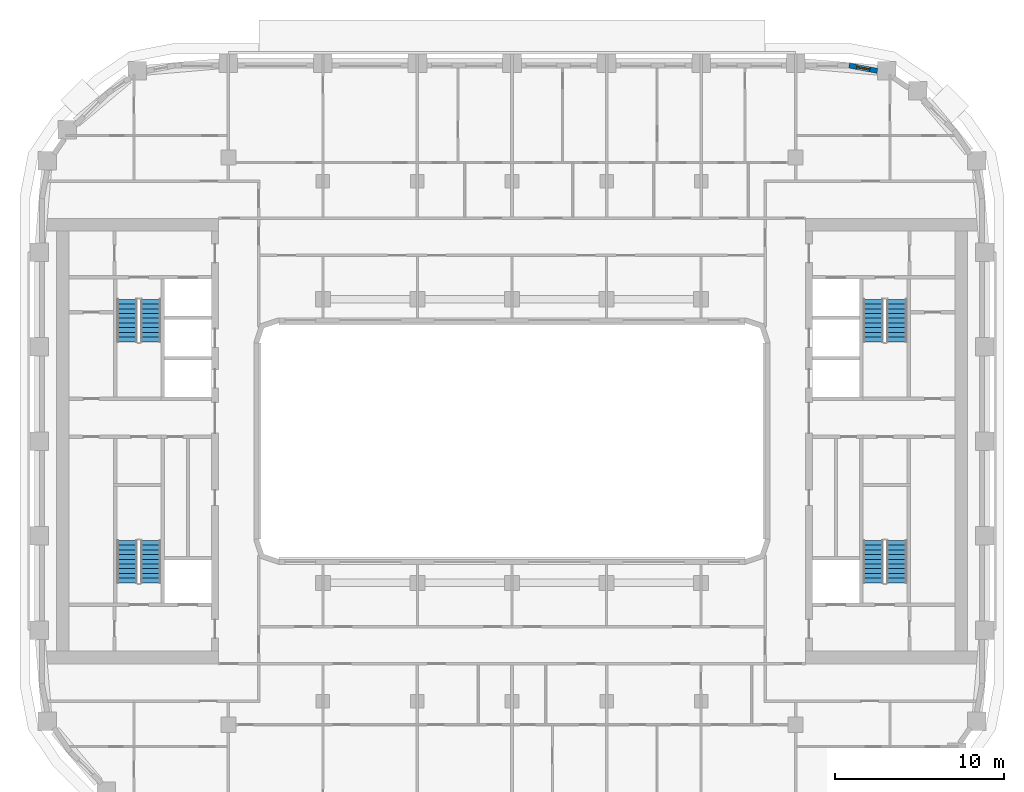
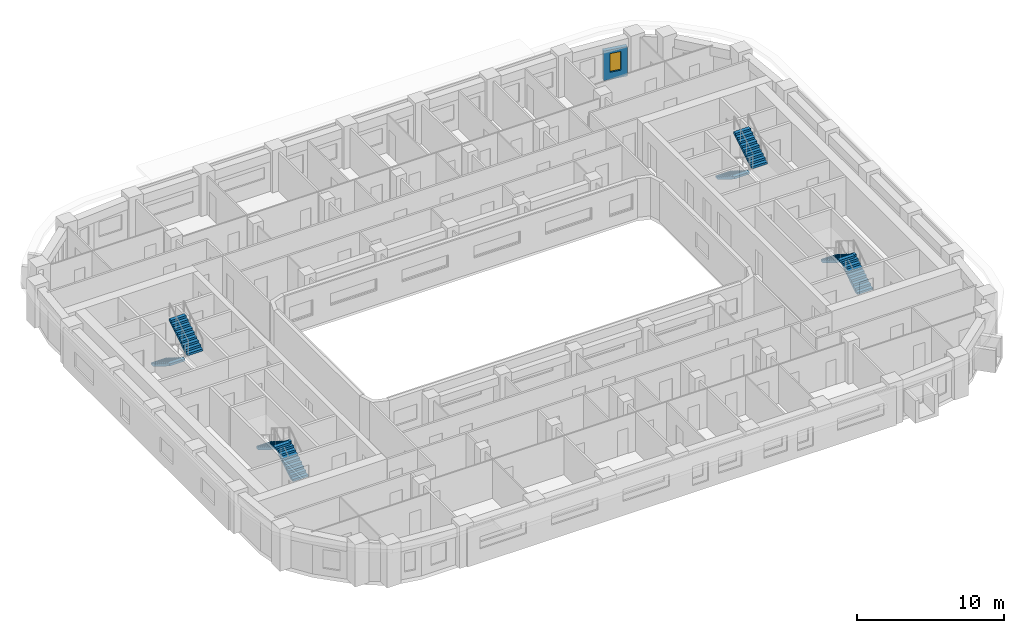
# One storey, part 10 of 22: 8 stair flights, 1 wall, 1 window, 1 opening, 4 elements without a shape of their own.
"""IFC4 building model written with IfcOpenShell, lengths in metres."""

import ifcopenshell
import ifcopenshell.guid

model = None  # the IFC model being written
_history = None  # IfcOwnerHistory: only IFC2X3 demands one
_inside = {}  # id of a spatial element -> (the spatial element, [elements in it])
_under = {}  # id of a project, library or spatial element -> (it, [spatial elements below it])
_declared = {}  # id of a project -> (the project, [libraries it declares])
_typed = {}  # id of a type object -> (the type object, [elements of that type])
_made_of = {}  # id of a material, layer set ... -> (it, [elements and type objects made of it])


def new_model(schema):
    """Start an empty IFC model of exactly this schema.

    Asked for "IFC4X3", IfcOpenShell would pick the latest addendum, in which some entities
    have other attributes; the version numbers below select the first issue.
    IFC2X3 requires an IfcOwnerHistory on every rooted entity: one is made here for all.
    """
    global model, _history
    if schema == "IFC4X3":
        model = ifcopenshell.file(schema_version=(4, 3, 0, 0))
    else:
        model = ifcopenshell.file(schema=schema)
    _inside.clear()
    _under.clear()
    _declared.clear()
    _typed.clear()
    _made_of.clear()
    _history = None
    if model.schema == "IFC2X3":
        org = make("IfcOrganization", Name="unknown")
        user = make(
            "IfcPersonAndOrganization",
            ThePerson=make("IfcPerson", FamilyName="unknown"),
            TheOrganization=org,
        )
        app = make(
            "IfcApplication",
            ApplicationDeveloper=org,
            Version="unknown",
            ApplicationFullName="unknown",
            ApplicationIdentifier="unknown",
        )
        _history = make(
            "IfcOwnerHistory",
            OwningUser=user,
            OwningApplication=app,
            ChangeAction="ADDED",
            CreationDate=0,
        )
    return model


def make(cls, **values):
    """One entity of the class cls with the attributes given. An attribute that is None is left unset."""
    return model.create_entity(
        cls, **{name: value for name, value in values.items() if value is not None}
    )


def rooted(cls, **values):
    """An entity with a GlobalId (a new one), such as an element, a storey or a relation."""
    return make(cls, GlobalId=ifcopenshell.guid.new(), OwnerHistory=_history, **values)


def si_unit(unit_type, name, prefix=None):
    """IfcSIUnit, for example si_unit("LENGTHUNIT", "METRE", prefix="MILLI")."""
    return make("IfcSIUnit", UnitType=unit_type, Prefix=prefix, Name=name)


def assignment(units):
    """IfcUnitAssignment: the units of a project."""
    return None if units is None else make("IfcUnitAssignment", Units=units)


def point(xyz):
    """IfcCartesianPoint."""
    return None if xyz is None else make("IfcCartesianPoint", Coordinates=xyz)


def direction(xyz):
    """IfcDirection."""
    return None if xyz is None else make("IfcDirection", DirectionRatios=xyz)


def frame(location, z_axis=None, x_axis=None):
    """IfcAxis2Placement3D, a coordinate frame: its origin and axes. An axis left out is left unset."""
    return make(
        "IfcAxis2Placement3D",
        Location=point(location),
        Axis=direction(z_axis),
        RefDirection=direction(x_axis),
    )


def frame_2d(location, x_axis=None):
    """IfcAxis2Placement2D, a coordinate frame in the plane: its origin and x axis."""
    return make(
        "IfcAxis2Placement2D", Location=point(location), RefDirection=direction(x_axis)
    )


def origin():
    """The frame at (0, 0, 0) with its axes left unset."""
    return frame((0.0, 0.0, 0.0))


def place(relative_to, where):
    """IfcLocalPlacement: puts the frame where relative to a parent placement (None: the world)."""
    return make(
        "IfcLocalPlacement", PlacementRelTo=relative_to, RelativePlacement=where
    )


def context(
    kind, dimensions, precision=None, world=None, true_north=None, identifier=None
):
    """IfcGeometricRepresentationContext, for example the 3D "Model" context."""
    return make(
        "IfcGeometricRepresentationContext",
        ContextIdentifier=identifier,
        ContextType=kind,
        CoordinateSpaceDimension=dimensions,
        Precision=precision,
        WorldCoordinateSystem=world,
        TrueNorth=true_north,
    )


def subcontext(parent, identifier, kind, view, scale=None):
    """IfcGeometricRepresentationSubContext, for example "Body" below "Model"."""
    return make(
        "IfcGeometricRepresentationSubContext",
        ContextIdentifier=identifier,
        ContextType=kind,
        ParentContext=parent,
        TargetScale=scale,
        TargetView=view,
    )


def project(units=None, contexts=None):
    """IfcProject with its units and contexts."""
    return rooted(
        "IfcProject",
        Name="project",
        RepresentationContexts=contexts,
        UnitsInContext=assignment(units),
    )


def spatial(cls, under=None, at=None, **own):
    """A site, building, storey or space (cls), placed at a placement, below another one or the project."""
    s = rooted(cls, ObjectPlacement=at, **own)
    if under is not None:
        _under.setdefault(under.id(), (under, []))[1].append(s)
    return s


def polyline(points):
    """IfcPolyline through the points."""
    return make("IfcPolyline", Points=[point(p) for p in points])


def profile(cls, at=None, kind="AREA", **sizes):
    """A parametric profile (cls). Its sizes go by their IFC names, for example OverallWidth=200.0."""
    return make(cls, ProfileType=kind, Position=at, **sizes)


def rectangle(**sizes):
    """IfcRectangleProfileDef."""
    return profile("IfcRectangleProfileDef", **sizes)


def outline(outer, holes=None, kind="AREA"):
    """IfcArbitraryClosedProfileDef: a profile drawn as a closed curve; with holes, ...WithVoids."""
    if holes is None:
        return make("IfcArbitraryClosedProfileDef", ProfileType=kind, OuterCurve=outer)
    return make(
        "IfcArbitraryProfileDefWithVoids",
        ProfileType=kind,
        OuterCurve=outer,
        InnerCurves=holes,
    )


def extrude(swept, where, along, depth):
    """IfcExtrudedAreaSolid: the profile swept, set in the frame where, extruded along a direction by depth."""
    return make(
        "IfcExtrudedAreaSolid",
        SweptArea=swept,
        Position=where,
        ExtrudedDirection=direction(along),
        Depth=depth,
    )


def shape(context_of_items, identifier, shape_type, items):
    """IfcShapeRepresentation: the items that make up one representation, for example the "Body"."""
    return make(
        "IfcShapeRepresentation",
        ContextOfItems=context_of_items,
        RepresentationIdentifier=identifier,
        RepresentationType=shape_type,
        Items=items,
    )


def material(Name=None, Category=None):
    """IfcMaterial."""
    return make("IfcMaterial", Name=Name, Category=Category)


def layer(
    of_material, thickness, ventilated=None, Name=None, Category=None, Priority=None
):
    """IfcMaterialLayer: one layer of a wall or slab, of a material (None: an air gap)."""
    return make(
        "IfcMaterialLayer",
        Material=of_material,
        LayerThickness=thickness,
        IsVentilated=ventilated,
        Name=Name,
        Category=Category,
        Priority=Priority,
    )


def layer_set(layers, Name=None):
    """IfcMaterialLayerSet."""
    return make("IfcMaterialLayerSet", MaterialLayers=layers, LayerSetName=Name)


def made_of(thing, what):
    """Note that an element or type object is made of a material, layer set ...; save() writes the relation."""
    if what is not None:
        _made_of.setdefault(what.id(), (what, []))[1].append(thing)
    return thing


def type_object(cls, material=None, **own):
    """A type object (cls), such as IfcWallType, which elements share."""
    return made_of(rooted(cls, **own), material)


def element(
    cls,
    number,
    at=None,
    inside=None,
    cuts=None,
    type_object=None,
    material=None,
    context=None,
    identifier="Body",
    shape_type=None,
    held_by="IfcProductDefinitionShape",
    body=None,
    shapes=None,
    **own,
):
    """One element of the class cls, such as IfcWall. Its Tag is "e" and its number.

    at: its placement. inside: the storey or other place that contains it. cuts: it is an
    opening in that element (IfcRelVoidsElement). A single representation is given by context,
    identifier, shape_type and body (its items); several are given by shapes. held_by: the class
    of the entity that holds the representations. save() writes the other relations.
    """
    e = rooted(cls, Tag="e%d" % number, ObjectPlacement=at, **own)
    if body is not None:
        shapes = [shape(context, identifier, shape_type, body)]
    if shapes is not None:
        e.Representation = make(held_by, Representations=shapes)
    if inside is not None:
        _inside.setdefault(inside.id(), (inside, []))[1].append(e)
    if cuts is not None:
        rooted(
            "IfcRelVoidsElement", RelatingBuildingElement=cuts, RelatedOpeningElement=e
        )
    if type_object is not None:
        _typed.setdefault(type_object.id(), (type_object, []))[1].append(e)
    return made_of(e, material)


def fill(opening, filler):
    """IfcRelFillsElement: the door or window that sits in an opening."""
    return rooted(
        "IfcRelFillsElement",
        RelatingOpeningElement=opening,
        RelatedBuildingElement=filler,
    )


def aggregate(whole, parts):
    """IfcRelAggregates: a whole, such as a stair, and the parts it consists of."""
    return rooted("IfcRelAggregates", RelatingObject=whole, RelatedObjects=parts)


def save(model, path):
    """Write the relations noted so far, then the file.

    IfcRelAggregates (storeys below a building ...), IfcRelContainedInSpatialStructure (elements
    in a storey), IfcRelDefinesByType, IfcRelAssociatesMaterial and IfcRelDeclares: one each for
    every whole, place, type object, material and project.
    """
    for whole, parts in _under.values():
        aggregate(whole, parts)
    for where, things in _inside.values():
        rooted(
            "IfcRelContainedInSpatialStructure",
            RelatedElements=things,
            RelatingStructure=where,
        )
    for kind, things in _typed.values():
        rooted("IfcRelDefinesByType", RelatedObjects=things, RelatingType=kind)
    for what, things in _made_of.values():
        rooted("IfcRelAssociatesMaterial", RelatedObjects=things, RelatingMaterial=what)
    for by, libraries in _declared.values():
        rooted("IfcRelDeclares", RelatingContext=by, RelatedDefinitions=libraries)
    model.write(path)


model = new_model("IFC4")

# Units and contexts
model_context = context("Model", 3, precision=1e-05, world=origin(), true_north=direction((0.0, 1.0)))
body_context = subcontext(model_context, "Body", "Model", "MODEL_VIEW")
ifc_project = project(units=[si_unit("LENGTHUNIT", "METRE"), si_unit("AREAUNIT", "SQUARE_METRE"), si_unit("VOLUMEUNIT", "CUBIC_METRE"), si_unit("PLANEANGLEUNIT", "RADIAN"), si_unit("MASSUNIT", "GRAM", prefix="KILO")], contexts=[model_context])

# Site, building, storey
site_placement = place(None, origin())
site = spatial("IfcSite", under=ifc_project, at=site_placement, CompositionType="ELEMENT")
building_placement = place(site_placement, origin())
building = spatial("IfcBuilding", under=site, at=building_placement, Name="Kiln Ring Residences", CompositionType="ELEMENT")
storey_placement = place(building_placement, frame((0.0, 0.0, 139.60009765625)))
storey = spatial("IfcBuildingStorey", under=building, at=storey_placement, Name="L35", CompositionType="ELEMENT", Elevation=139.60009765625)

# Wall, opening, window
ifc_material_1 = material(Name="Brick masonry, dark clay brick", Category="masonry")
ifc_layer = layer(ifc_material_1, 0.300048828125)
ifc_layer_set = layer_set([ifc_layer], Name="EW-300 BRICK WALL")
wall_type = type_object("IfcWallType", Name="EW-300 BRICK WALL", PredefinedType="SOLIDWALL", material=ifc_layer_set)
wall_placement = place(storey_placement, frame((21.647705078125, 21.93310546875, 0.0), z_axis=(0.0, 0.0, 1.0), x_axis=(-0.982297206936, 0.187329114784, 0.0)))
wall = element("IfcWall", 1, at=wall_placement, inside=storey, type_object=wall_type, Name="Facade wall L35 27", PredefinedType="SOLIDWALL", context=body_context, shape_type="SweptSolid", body=[
    extrude(rectangle(XDim=1.7060546875, YDim=0.300048828125, at=frame_2d((0.85302734375, 0.0))), origin(), (0.0, 0.0, 1.0), 2.449951171875),
])
opening_placement = place(wall_placement, frame((0.453125, 0.0, 0.60009765625)))
opening = element("IfcOpeningElement", 2, at=opening_placement, cuts=wall, Name="Opening W5", PredefinedType="OPENING", context=body_context, shape_type="SweptSolid", body=[
    extrude(rectangle(XDim=0.800048828125, YDim=1.550048828125, at=frame_2d((0.39990234375, 0.77490234375))), frame((0.0, 0.159912109375, 0.0), z_axis=(0.0, -1.0, 0.0), x_axis=(1.0, 0.0, 0.0)), (0.0, 0.0, 1.0), 0.320068359375),
])
ifc_material_2 = material(Name="Aluminium frame with double glazing", Category="aluminium")
window_type = type_object("IfcWindowType", Name="WINDOW 800 x 1550", PartitioningType="SINGLE_PANEL", PredefinedType="WINDOW", material=ifc_material_2)
window_placement = place(opening_placement, origin())
window = element("IfcWindow", 3, at=window_placement, inside=storey, type_object=window_type, Name="Window L35 17", OverallHeight=1.550048828125, OverallWidth=0.800048828125, PartitioningType="SINGLE_PANEL", PredefinedType="WINDOW", context=body_context, shape_type="SweptSolid", body=[
    extrude(rectangle(XDim=0.800048828125, YDim=1.550048828125, at=frame_2d((0.39990234375, 0.77490234375))), frame((0.0, 0.030029296875, 0.0), z_axis=(0.0, -1.0, 0.0), x_axis=(1.0, 0.0, 0.0)), (0.0, 0.0, 1.0), 0.06005859375),
])
fill(opening, window)

# Stair, stair flights
ifc_material_3 = material(Name="Concrete C40/50", Category="concrete")
stair_type = type_object("IfcStairType", Name="CORE-STAIR", PredefinedType="HALF_TURN_STAIR", material=ifc_material_3)
placement = place(storey_placement, origin())
stair_1 = element("IfcStair", 4, at=placement, inside=storey, type_object=stair_type, Name="L35 stair W-STN", PredefinedType="HALF_TURN_STAIR")
ifc_material_4 = material(Name="Concrete C40/50", Category="concrete")
stair_flight_type = type_object("IfcStairFlightType", Name="CORE-STAIR-FLIGHT", PredefinedType="STRAIGHT", material=ifc_material_4)
stair_flight_1_placement = place(storey_placement, frame((-22.800048828125, 8.39990234375, 0.0), z_axis=(0.0, 0.0, 1.0), x_axis=(0.0, -1.0, 0.0)))
stair_flight_1 = element("IfcStairFlight", 5, at=stair_flight_1_placement, type_object=stair_flight_type, Name="W-STN flight 1", NumberOfRisers=10, NumberOfTreads=9, PredefinedType="STRAIGHT", RiserHeight=0.175, TreadLength=0.28, context=body_context, shape_type="SweptSolid", body=[
    extrude(outline(polyline([(0.0, 0.0), (0.0, 0.175048828125), (0.280029296875, 0.175048828125), (0.280029296875, 0.35009765625), (0.56005859375, 0.35009765625), (0.56005859375, 0.52490234375), (0.840087890625, 0.52490234375), (0.840087890625, 0.699951171875), (1.1201171875, 0.699951171875), (1.1201171875, 0.875), (1.39990234375, 0.875), (1.39990234375, 1.050048828125), (1.679931640625, 1.050048828125), (1.679931640625, 1.22509765625), (1.9599609375, 1.22509765625), (1.9599609375, 1.39990234375), (2.239990234375, 1.39990234375), (2.239990234375, 1.574951171875), (2.52001953125, 1.574951171875), (2.52001953125, 1.75), (2.52001953125, 1.398193359375), (0.28271484375, 0.0), (0.0, 0.0)])), frame((0.0, 0.60009765625, 0.0), z_axis=(0.0, -1.0, 0.0), x_axis=(1.0, 0.0, 0.0)), (0.0, 0.0, 1.0), 1.199951171875),
])
stair_flight_2_placement = place(storey_placement, frame((-21.39990234375, 5.8798828125, 1.75), z_axis=(0.0, 0.0, 1.0), x_axis=(0.0, 1.0, 0.0)))
stair_flight_2 = element("IfcStairFlight", 6, at=stair_flight_2_placement, type_object=stair_flight_type, Name="W-STN flight 2", NumberOfRisers=10, NumberOfTreads=9, PredefinedType="STRAIGHT", RiserHeight=0.175, TreadLength=0.28, context=body_context, shape_type="SweptSolid", body=[
    extrude(outline(polyline([(0.0, 0.0), (0.0, 0.175048828125), (0.280029296875, 0.175048828125), (0.280029296875, 0.35009765625), (0.56005859375, 0.35009765625), (0.56005859375, 0.52490234375), (0.840087890625, 0.52490234375), (0.840087890625, 0.699951171875), (1.1201171875, 0.699951171875), (1.1201171875, 0.875), (1.39990234375, 0.875), (1.39990234375, 1.050048828125), (1.679931640625, 1.050048828125), (1.679931640625, 1.22509765625), (1.9599609375, 1.22509765625), (1.9599609375, 1.39990234375), (2.239990234375, 1.39990234375), (2.239990234375, 1.574951171875), (2.52001953125, 1.574951171875), (2.52001953125, 1.75), (2.52001953125, 1.398193359375), (0.28271484375, 0.0), (0.0, 0.0)])), frame((0.0, 0.60009765625, 0.0), z_axis=(0.0, -1.0, 0.0), x_axis=(1.0, 0.0, 0.0)), (0.0, 0.0, 1.0), 1.199951171875),
])
aggregate(stair_1, [stair_flight_1, stair_flight_2])

stair_2 = element("IfcStair", 7, at=placement, inside=storey, type_object=stair_type, Name="L35 stair W-STS", PredefinedType="HALF_TURN_STAIR")
stair_flight_3_placement = place(storey_placement, frame((-21.39990234375, -8.39990234375, 0.0), z_axis=(0.0, 0.0, 1.0), x_axis=(0.0, 1.0, 0.0)))
stair_flight_3 = element("IfcStairFlight", 8, at=stair_flight_3_placement, type_object=stair_flight_type, Name="W-STS flight 1", NumberOfRisers=10, NumberOfTreads=9, PredefinedType="STRAIGHT", RiserHeight=0.175, TreadLength=0.28, context=body_context, shape_type="SweptSolid", body=[
    extrude(outline(polyline([(0.0, 0.0), (0.0, 0.175048828125), (0.280029296875, 0.175048828125), (0.280029296875, 0.35009765625), (0.56005859375, 0.35009765625), (0.56005859375, 0.52490234375), (0.840087890625, 0.52490234375), (0.840087890625, 0.699951171875), (1.1201171875, 0.699951171875), (1.1201171875, 0.875), (1.39990234375, 0.875), (1.39990234375, 1.050048828125), (1.679931640625, 1.050048828125), (1.679931640625, 1.22509765625), (1.9599609375, 1.22509765625), (1.9599609375, 1.39990234375), (2.239990234375, 1.39990234375), (2.239990234375, 1.574951171875), (2.52001953125, 1.574951171875), (2.52001953125, 1.75), (2.52001953125, 1.398193359375), (0.28271484375, 0.0), (0.0, 0.0)])), frame((0.0, 0.60009765625, 0.0), z_axis=(0.0, -1.0, 0.0), x_axis=(1.0, 0.0, 0.0)), (0.0, 0.0, 1.0), 1.199951171875),
])
stair_flight_4_placement = place(storey_placement, frame((-22.800048828125, -5.8798828125, 1.75), z_axis=(0.0, 0.0, 1.0), x_axis=(0.0, -1.0, 0.0)))
stair_flight_4 = element("IfcStairFlight", 9, at=stair_flight_4_placement, type_object=stair_flight_type, Name="W-STS flight 2", NumberOfRisers=10, NumberOfTreads=9, PredefinedType="STRAIGHT", RiserHeight=0.175, TreadLength=0.28, context=body_context, shape_type="SweptSolid", body=[
    extrude(outline(polyline([(0.0, 0.0), (0.0, 0.175048828125), (0.280029296875, 0.175048828125), (0.280029296875, 0.35009765625), (0.56005859375, 0.35009765625), (0.56005859375, 0.52490234375), (0.840087890625, 0.52490234375), (0.840087890625, 0.699951171875), (1.1201171875, 0.699951171875), (1.1201171875, 0.875), (1.39990234375, 0.875), (1.39990234375, 1.050048828125), (1.679931640625, 1.050048828125), (1.679931640625, 1.22509765625), (1.9599609375, 1.22509765625), (1.9599609375, 1.39990234375), (2.239990234375, 1.39990234375), (2.239990234375, 1.574951171875), (2.52001953125, 1.574951171875), (2.52001953125, 1.75), (2.52001953125, 1.398193359375), (0.28271484375, 0.0), (0.0, 0.0)])), frame((0.0, 0.60009765625, 0.0), z_axis=(0.0, -1.0, 0.0), x_axis=(1.0, 0.0, 0.0)), (0.0, 0.0, 1.0), 1.199951171875),
])
aggregate(stair_2, [stair_flight_3, stair_flight_4])

stair_3 = element("IfcStair", 10, at=placement, inside=storey, type_object=stair_type, Name="L35 stair E-STN", PredefinedType="HALF_TURN_STAIR")
stair_flight_5_placement = place(storey_placement, frame((21.39990234375, 8.39990234375, 0.0), z_axis=(0.0, 0.0, 1.0), x_axis=(0.0, -1.0, 0.0)))
stair_flight_5 = element("IfcStairFlight", 11, at=stair_flight_5_placement, type_object=stair_flight_type, Name="E-STN flight 1", NumberOfRisers=10, NumberOfTreads=9, PredefinedType="STRAIGHT", RiserHeight=0.175, TreadLength=0.28, context=body_context, shape_type="SweptSolid", body=[
    extrude(outline(polyline([(0.0, 0.0), (0.0, 0.175048828125), (0.280029296875, 0.175048828125), (0.280029296875, 0.35009765625), (0.56005859375, 0.35009765625), (0.56005859375, 0.52490234375), (0.840087890625, 0.52490234375), (0.840087890625, 0.699951171875), (1.1201171875, 0.699951171875), (1.1201171875, 0.875), (1.39990234375, 0.875), (1.39990234375, 1.050048828125), (1.679931640625, 1.050048828125), (1.679931640625, 1.22509765625), (1.9599609375, 1.22509765625), (1.9599609375, 1.39990234375), (2.239990234375, 1.39990234375), (2.239990234375, 1.574951171875), (2.52001953125, 1.574951171875), (2.52001953125, 1.75), (2.52001953125, 1.398193359375), (0.28271484375, 0.0), (0.0, 0.0)])), frame((0.0, 0.60009765625, 0.0), z_axis=(0.0, -1.0, 0.0), x_axis=(1.0, 0.0, 0.0)), (0.0, 0.0, 1.0), 1.199951171875),
])
stair_flight_6_placement = place(storey_placement, frame((22.800048828125, 5.8798828125, 1.75), z_axis=(0.0, 0.0, 1.0), x_axis=(0.0, 1.0, 0.0)))
stair_flight_6 = element("IfcStairFlight", 12, at=stair_flight_6_placement, type_object=stair_flight_type, Name="E-STN flight 2", NumberOfRisers=10, NumberOfTreads=9, PredefinedType="STRAIGHT", RiserHeight=0.175, TreadLength=0.28, context=body_context, shape_type="SweptSolid", body=[
    extrude(outline(polyline([(0.0, 0.0), (0.0, 0.175048828125), (0.280029296875, 0.175048828125), (0.280029296875, 0.35009765625), (0.56005859375, 0.35009765625), (0.56005859375, 0.52490234375), (0.840087890625, 0.52490234375), (0.840087890625, 0.699951171875), (1.1201171875, 0.699951171875), (1.1201171875, 0.875), (1.39990234375, 0.875), (1.39990234375, 1.050048828125), (1.679931640625, 1.050048828125), (1.679931640625, 1.22509765625), (1.9599609375, 1.22509765625), (1.9599609375, 1.39990234375), (2.239990234375, 1.39990234375), (2.239990234375, 1.574951171875), (2.52001953125, 1.574951171875), (2.52001953125, 1.75), (2.52001953125, 1.398193359375), (0.28271484375, 0.0), (0.0, 0.0)])), frame((0.0, 0.60009765625, 0.0), z_axis=(0.0, -1.0, 0.0), x_axis=(1.0, 0.0, 0.0)), (0.0, 0.0, 1.0), 1.199951171875),
])
aggregate(stair_3, [stair_flight_5, stair_flight_6])

stair_4 = element("IfcStair", 13, at=placement, inside=storey, type_object=stair_type, Name="L35 stair E-STS", PredefinedType="HALF_TURN_STAIR")
stair_flight_7_placement = place(storey_placement, frame((22.800048828125, -8.39990234375, 0.0), z_axis=(0.0, 0.0, 1.0), x_axis=(0.0, 1.0, 0.0)))
stair_flight_7 = element("IfcStairFlight", 14, at=stair_flight_7_placement, type_object=stair_flight_type, Name="E-STS flight 1", NumberOfRisers=10, NumberOfTreads=9, PredefinedType="STRAIGHT", RiserHeight=0.175, TreadLength=0.28, context=body_context, shape_type="SweptSolid", body=[
    extrude(outline(polyline([(0.0, 0.0), (0.0, 0.175048828125), (0.280029296875, 0.175048828125), (0.280029296875, 0.35009765625), (0.56005859375, 0.35009765625), (0.56005859375, 0.52490234375), (0.840087890625, 0.52490234375), (0.840087890625, 0.699951171875), (1.1201171875, 0.699951171875), (1.1201171875, 0.875), (1.39990234375, 0.875), (1.39990234375, 1.050048828125), (1.679931640625, 1.050048828125), (1.679931640625, 1.22509765625), (1.9599609375, 1.22509765625), (1.9599609375, 1.39990234375), (2.239990234375, 1.39990234375), (2.239990234375, 1.574951171875), (2.52001953125, 1.574951171875), (2.52001953125, 1.75), (2.52001953125, 1.398193359375), (0.28271484375, 0.0), (0.0, 0.0)])), frame((0.0, 0.60009765625, 0.0), z_axis=(0.0, -1.0, 0.0), x_axis=(1.0, 0.0, 0.0)), (0.0, 0.0, 1.0), 1.199951171875),
])
stair_flight_8_placement = place(storey_placement, frame((21.39990234375, -5.8798828125, 1.75), z_axis=(0.0, 0.0, 1.0), x_axis=(0.0, -1.0, 0.0)))
stair_flight_8 = element("IfcStairFlight", 15, at=stair_flight_8_placement, type_object=stair_flight_type, Name="E-STS flight 2", NumberOfRisers=10, NumberOfTreads=9, PredefinedType="STRAIGHT", RiserHeight=0.175, TreadLength=0.28, context=body_context, shape_type="SweptSolid", body=[
    extrude(outline(polyline([(0.0, 0.0), (0.0, 0.175048828125), (0.280029296875, 0.175048828125), (0.280029296875, 0.35009765625), (0.56005859375, 0.35009765625), (0.56005859375, 0.52490234375), (0.840087890625, 0.52490234375), (0.840087890625, 0.699951171875), (1.1201171875, 0.699951171875), (1.1201171875, 0.875), (1.39990234375, 0.875), (1.39990234375, 1.050048828125), (1.679931640625, 1.050048828125), (1.679931640625, 1.22509765625), (1.9599609375, 1.22509765625), (1.9599609375, 1.39990234375), (2.239990234375, 1.39990234375), (2.239990234375, 1.574951171875), (2.52001953125, 1.574951171875), (2.52001953125, 1.75), (2.52001953125, 1.398193359375), (0.28271484375, 0.0), (0.0, 0.0)])), frame((0.0, 0.60009765625, 0.0), z_axis=(0.0, -1.0, 0.0), x_axis=(1.0, 0.0, 0.0)), (0.0, 0.0, 1.0), 1.199951171875),
])
aggregate(stair_4, [stair_flight_7, stair_flight_8])

save(model, "model.ifc")
